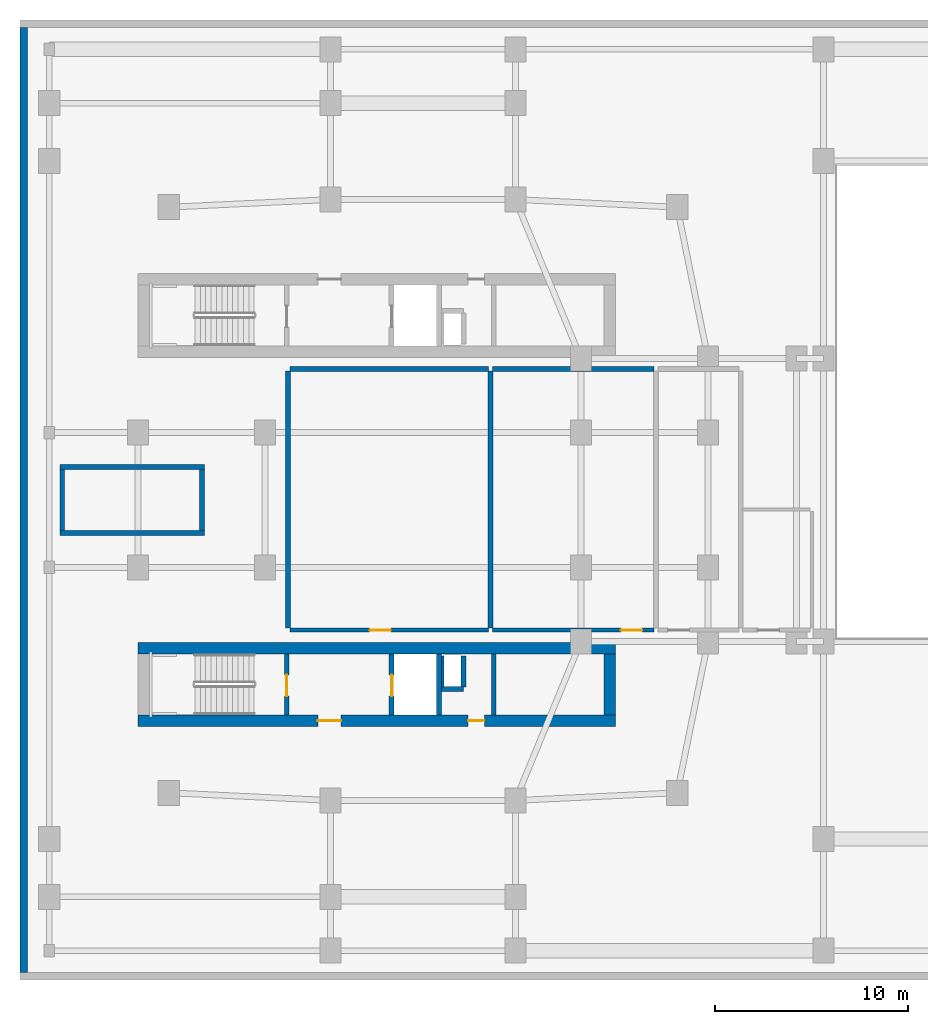
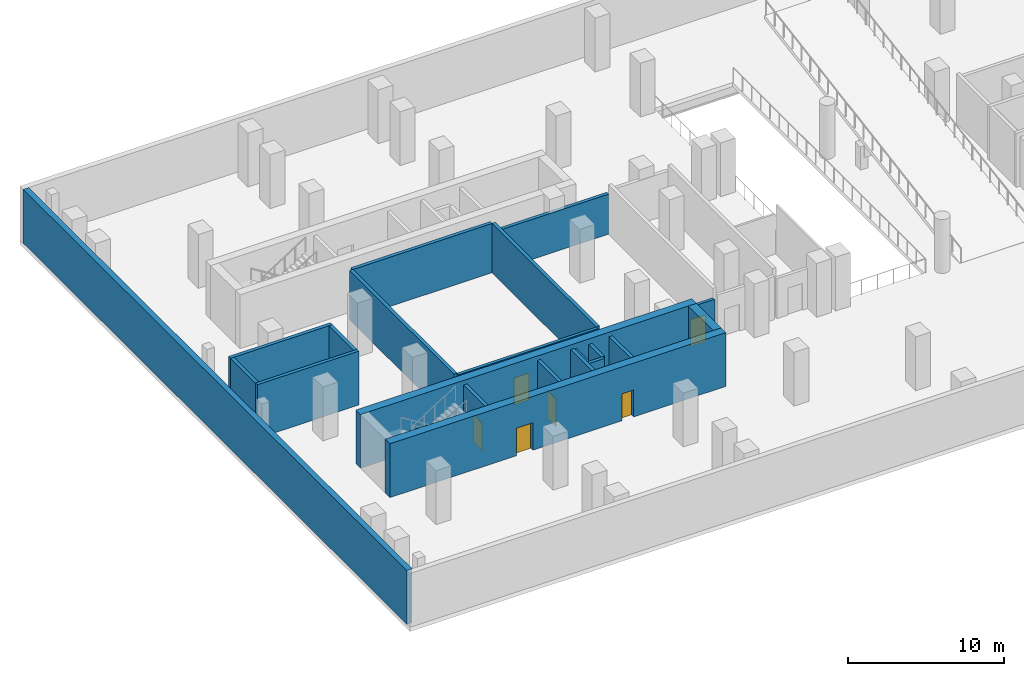
# One storey, part 4 of 13: 21 walls, 6 doors, 6 openings.
"""IFC4 building model written with IfcOpenShell, lengths in metres."""

from ifc_helpers import new_model, si_unit, derived_unit, direction, frame, frame_2d, origin, place, context, subcontext, project, spatial, rectangle, extrude, material, layer, layer_set, type_object, element, fill, save


model = new_model("IFC4")

# Units and contexts
model_context = context("Model", 3, precision=1e-05, world=origin(), true_north=direction((0.0, 1.0)))
body_context = subcontext(model_context, "Body", "Model", "MODEL_VIEW")
ifc_project = project(units=[si_unit("LENGTHUNIT", "METRE"), si_unit("AREAUNIT", "SQUARE_METRE"), si_unit("VOLUMEUNIT", "CUBIC_METRE"), si_unit("PLANEANGLEUNIT", "RADIAN"), si_unit("MASSUNIT", "GRAM", prefix="KILO"), derived_unit("THERMALTRANSMITTANCEUNIT", [(si_unit("POWERUNIT", "WATT"), 1), (si_unit("LENGTHUNIT", "METRE"), -2), (si_unit("THERMODYNAMICTEMPERATUREUNIT", "KELVIN"), -1)])], contexts=[model_context])

# Site, building, storey
site_placement = place(None, origin())
site = spatial("IfcSite", under=ifc_project, at=site_placement, CompositionType="ELEMENT")
building_placement = place(site_placement, origin())
building = spatial("IfcBuilding", under=site, at=building_placement, Name="Kivonza Crest Hotel", CompositionType="ELEMENT")
storey_placement = place(building_placement, frame((0.0, 0.0, -4.199951171875)))
storey = spatial("IfcBuildingStorey", under=building, at=storey_placement, Name="B1", CompositionType="ELEMENT", Elevation=-4.199951171875)

# Wall, opening, door
ifc_material_1 = material(Name="Autoclaved aerated concrete blockwork", Category="masonry")
ifc_layer_1 = layer(ifc_material_1, 0.219970703125)
ifc_layer_set_1 = layer_set([ifc_layer_1], Name="Autoclaved aerated concrete blockwork")
wall_type_1 = type_object("IfcWallType", Name="WL-ACOU-220", PredefinedType="SOLIDWALL", material=ifc_layer_set_1)
wall_1_placement = place(storey_placement, frame((14.10009765625, 18.25, 0.0), z_axis=(0.0, 0.0, 1.0), x_axis=(1.0, 0.0, 0.0)))
wall_1 = element("IfcWall", 1, at=wall_1_placement, inside=storey, type_object=wall_type_1, Name="B1 interior partition WA-B1-CHIL-S", PredefinedType="SOLIDWALL", context=body_context, shape_type="SweptSolid", body=[
    extrude(rectangle(XDim=10.2998046875, YDim=0.219970703125, at=frame_2d((5.14990234375, 0.0))), origin(), (0.0, 0.0, 1.0), 3.849853515625),
])
opening_1_placement = place(wall_1_placement, frame((4.1298828125, 0.0, 0.0)))
opening_1 = element("IfcOpeningElement", 2, at=opening_1_placement, cuts=wall_1, Name="Opening DF-60M", PredefinedType="OPENING", context=body_context, shape_type="SweptSolid", body=[
    extrude(rectangle(XDim=1.10009765625, YDim=2.10009765625, at=frame_2d((0.550048828125, 1.050048828125))), frame((0.0, 0.1201171875, 0.0), z_axis=(0.0, -1.0, 0.0), x_axis=(1.0, 0.0, 0.0)), (0.0, 0.0, 1.0), 0.239990234375),
])
ifc_material_2 = material(Name="Hardwood timber oak", Category="wood")
door_type_1 = type_object("IfcDoorType", Name="DR-FD60-1100", OperationType="NOTDEFINED", PredefinedType="DOOR", material=ifc_material_2)
door_1_placement = place(opening_1_placement, origin())
door_1 = element("IfcDoor", 3, at=door_1_placement, inside=storey, type_object=door_type_1, Name="B1 Central Chiller Plant Room door", OperationType="SINGLE_SWING_LEFT", OverallHeight=2.10009765625, OverallWidth=1.10009765625, PredefinedType="DOOR", context=body_context, shape_type="SweptSolid", body=[
    extrude(rectangle(XDim=1.10009765625, YDim=2.10009765625, at=frame_2d((0.550048828125, 1.050048828125))), frame((0.0, 0.02490234375, 0.0), z_axis=(0.0, -1.0, 0.0), x_axis=(1.0, 0.0, 0.0)), (0.0, 0.0, 1.0), 0.050048828125),
])
fill(opening_1, door_1)

wall_2_placement = place(storey_placement, frame((24.60009765625, 18.25, 0.0), z_axis=(0.0, 0.0, 1.0), x_axis=(1.0, 0.0, 0.0)))
wall_2 = element("IfcWall", 4, at=wall_2_placement, inside=storey, type_object=wall_type_1, Name="B1 interior partition WA-B1-GEN-S", PredefinedType="SOLIDWALL", context=body_context, shape_type="SweptSolid", body=[
    extrude(rectangle(XDim=8.39990234375, YDim=0.219970703125, at=frame_2d((4.199951171875, 0.0))), origin(), (0.0, 0.0, 1.0), 3.125),
])
opening_2_placement = place(wall_2_placement, frame((6.675048828125, 0.0, 0.0)))
opening_2 = element("IfcOpeningElement", 5, at=opening_2_placement, cuts=wall_2, Name="Opening DF-60M", PredefinedType="OPENING", context=body_context, shape_type="SweptSolid", body=[
    extrude(rectangle(XDim=1.10009765625, YDim=2.10009765625, at=frame_2d((0.550048828125, 1.050048828125))), frame((0.0, 0.1201171875, 0.0), z_axis=(0.0, -1.0, 0.0), x_axis=(1.0, 0.0, 0.0)), (0.0, 0.0, 1.0), 0.239990234375),
])
door_2_placement = place(opening_2_placement, origin())
door_2 = element("IfcDoor", 6, at=door_2_placement, inside=storey, type_object=door_type_1, Name="B1 Standby Generator Plant Room door", OperationType="SINGLE_SWING_RIGHT", OverallHeight=2.10009765625, OverallWidth=1.10009765625, PredefinedType="DOOR", context=body_context, shape_type="SweptSolid", body=[
    extrude(rectangle(XDim=1.10009765625, YDim=2.10009765625, at=frame_2d((0.550048828125, 1.050048828125))), frame((0.0, 0.02490234375, 0.0), z_axis=(0.0, -1.0, 0.0), x_axis=(1.0, 0.0, 0.0)), (0.0, 0.0, 1.0), 0.050048828125),
])
fill(opening_2, door_2)

# Wall, openings, doors
ifc_material_3 = material(Name="Concrete C60/75", Category="concrete")
ifc_layer_2 = layer(ifc_material_3, 0.60009765625)
ifc_layer_set_2 = layer_set([ifc_layer_2], Name="Concrete C60/75")
wall_type_2 = type_object("IfcWallType", Name="WL-CORE-600", PredefinedType="SHEAR", material=ifc_layer_set_2)
wall_3_placement = place(storey_placement, frame((6.199951171875, 13.5400390625, 0.0), z_axis=(0.0, 0.0, 1.0), x_axis=(1.0, 0.0, 0.0)))
wall_3 = element("IfcWall", 7, at=wall_3_placement, inside=storey, type_object=wall_type_2, Name="Core wall T1-S South B1", PredefinedType="SHEAR", context=body_context, shape_type="SweptSolid", body=[
    extrude(rectangle(XDim=24.800048828125, YDim=0.60009765625, at=frame_2d((12.39990234375, 0.0))), origin(), (0.0, 0.0, 1.0), 4.199951171875),
])
opening_3_placement = place(wall_3_placement, frame((9.35009765625, 0.0, 0.0)))
opening_3 = element("IfcOpeningElement", 8, at=opening_3_placement, cuts=wall_3, Name="Opening DF-60", PredefinedType="OPENING", context=body_context, shape_type="SweptSolid", body=[
    extrude(rectangle(XDim=1.199951171875, YDim=2.14990234375, at=frame_2d((0.60009765625, 1.074951171875))), frame((0.0, 0.31005859375, 0.0), z_axis=(0.0, -1.0, 0.0), x_axis=(1.0, 0.0, 0.0)), (0.0, 0.0, 1.0), 0.6201171875),
])
opening_4_placement = place(wall_3_placement, frame((17.139892578125, 0.0, 0.0)))
opening_4 = element("IfcOpeningElement", 9, at=opening_4_placement, cuts=wall_3, Name="Opening DF-60R", PredefinedType="OPENING", context=body_context, shape_type="SweptSolid", body=[
    extrude(rectangle(XDim=0.85009765625, YDim=2.10009765625, at=frame_2d((0.425048828125, 1.050048828125))), frame((0.0, 0.31005859375, 0.0), z_axis=(0.0, -1.0, 0.0), x_axis=(1.0, 0.0, 0.0)), (0.0, 0.0, 1.0), 0.6201171875),
])
door_type_2 = type_object("IfcDoorType", Name="DR-FD60-1200", OperationType="NOTDEFINED", PredefinedType="DOOR", material=ifc_material_2)
door_3_placement = place(opening_3_placement, frame((1.199951171875, 0.0, 0.0), z_axis=(0.0, 0.0, 1.0), x_axis=(-1.0, 0.0, 0.0)))
door_3 = element("IfcDoor", 10, at=door_3_placement, inside=storey, type_object=door_type_2, Name="B1 T1-S firefighting lobby fire door", OperationType="SINGLE_SWING_LEFT", OverallHeight=2.14990234375, OverallWidth=1.199951171875, PredefinedType="DOOR", context=body_context, shape_type="SweptSolid", body=[
    extrude(rectangle(XDim=1.199951171875, YDim=2.14990234375, at=frame_2d((0.60009765625, 1.074951171875))), frame((0.0, 0.02490234375, 0.0), z_axis=(0.0, -1.0, 0.0), x_axis=(1.0, 0.0, 0.0)), (0.0, 0.0, 1.0), 0.050048828125),
])
fill(opening_3, door_3)
door_type_3 = type_object("IfcDoorType", Name="DR-FD60-850", OperationType="NOTDEFINED", PredefinedType="DOOR", material=ifc_material_2)
door_4_placement = place(opening_4_placement, frame((0.85009765625, 0.0, 0.0), z_axis=(0.0, 0.0, 1.0), x_axis=(-1.0, 0.0, 0.0)))
door_4 = element("IfcDoor", 11, at=door_4_placement, inside=storey, type_object=door_type_3, Name="B1 T1-S core room door", OperationType="SINGLE_SWING_RIGHT", OverallHeight=2.10009765625, OverallWidth=0.85009765625, PredefinedType="DOOR", context=body_context, shape_type="SweptSolid", body=[
    extrude(rectangle(XDim=0.85009765625, YDim=2.10009765625, at=frame_2d((0.425048828125, 1.050048828125))), frame((0.0, 0.02490234375, 0.0), z_axis=(0.0, -1.0, 0.0), x_axis=(1.0, 0.0, 0.0)), (0.0, 0.0, 1.0), 0.050048828125),
])
fill(opening_4, door_4)

# Walls
wall_4_placement = place(storey_placement, frame((6.199951171875, 17.300048828125, 0.0), z_axis=(0.0, 0.0, 1.0), x_axis=(1.0, 0.0, 0.0)))
element("IfcWall", 12, at=wall_4_placement, inside=storey, type_object=wall_type_2, Name="Core wall T1-S North B1", PredefinedType="SHEAR", context=body_context, shape_type="SweptSolid", body=[
    extrude(rectangle(XDim=24.800048828125, YDim=0.60009765625, at=frame_2d((12.39990234375, 0.0))), origin(), (0.0, 0.0, 1.0), 4.199951171875),
])
wall_5_placement = place(storey_placement, frame((30.699951171875, 13.840087890625, 0.0), z_axis=(0.0, 0.0, 1.0), x_axis=(0.0, 1.0, 0.0)))
element("IfcWall", 13, at=wall_5_placement, inside=storey, type_object=wall_type_2, Name="Core wall T1-S East B1", PredefinedType="SHEAR", context=body_context, shape_type="SweptSolid", body=[
    extrude(rectangle(XDim=3.159912109375, YDim=0.60009765625, at=frame_2d((1.580078125, 0.0))), origin(), (0.0, 0.0, 1.0), 4.199951171875),
])
ifc_material_4 = material(Name="Concrete blockwork fire-compartment wall", Category="masonry")
ifc_layer_3 = layer(ifc_material_4, 0.25)
ifc_layer_set_3 = layer_set([ifc_layer_3], Name="Concrete blockwork fire-compartment wall")
wall_type_3 = type_object("IfcWallType", Name="WL-FIRE-250", PredefinedType="SOLIDWALL", material=ifc_layer_set_3)
wall_6_placement = place(storey_placement, frame((23.10009765625, 15.280029296875, 0.0), z_axis=(0.0, 0.0, 1.0), x_axis=(0.0, 1.0, 0.0)))
element("IfcWall", 14, at=wall_6_placement, inside=storey, type_object=wall_type_3, Name="B1 interior partition WA-B1-T1-S-MEPR-E", PredefinedType="SOLIDWALL", context=body_context, shape_type="SweptSolid", body=[
    extrude(rectangle(XDim=1.619873046875, YDim=0.25, at=frame_2d((0.81005859375, 0.0))), origin(), (0.0, 0.0, 1.0), 3.849853515625),
])
wall_7_placement = place(storey_placement, frame((21.949951171875, 15.179931640625, 0.0), z_axis=(0.0, 0.0, 1.0), x_axis=(1.0, 0.0, 0.0)))
element("IfcWall", 15, at=wall_7_placement, inside=storey, type_object=wall_type_3, Name="B1 interior partition WA-B1-T1-S-MEPR-H", PredefinedType="SOLIDWALL", context=body_context, shape_type="SweptSolid", body=[
    extrude(rectangle(XDim=1.150146484375, YDim=0.25, at=frame_2d((0.5751953125, 0.0))), origin(), (0.0, 0.0, 1.0), 3.849853515625),
])
for number, where, z_axis, x_axis, name in (
    (16, (14.0, 18.35009765625, 0.0), (0.0, 0.0, 1.0), (0.0, 1.0, 0.0), "B1 interior partition WP-B1-CHIL-BW"),
    (17, (24.5, 18.35009765625, 0.0), (0.0, 0.0, 1.0), (0.0, 1.0, 0.0), "B1 interior partition WP-B1-CHIL-BE"),
):
    element("IfcWall", number, at=place(storey_placement, frame(where, z_axis=z_axis, x_axis=x_axis)), inside=storey, type_object=wall_type_3, Name=name, PredefinedType="SOLIDWALL", context=body_context, shape_type="SweptSolid", body=[
        extrude(rectangle(XDim=13.349853515625, YDim=0.25, at=frame_2d((6.6748046875, 0.0))), origin(), (0.0, 0.0, 1.0), 3.849853515625),
    ])
wall_8_placement = place(storey_placement, frame((14.10009765625, 31.800048828125, 0.0), z_axis=(0.0, 0.0, 1.0), x_axis=(1.0, 0.0, 0.0)))
element("IfcWall", 18, at=wall_8_placement, inside=storey, type_object=wall_type_3, Name="B1 interior partition WP-B1-CHIL-BN", PredefinedType="SOLIDWALL", context=body_context, shape_type="SweptSolid", body=[
    extrude(rectangle(XDim=10.2998046875, YDim=0.25, at=frame_2d((5.14990234375, 0.0))), origin(), (0.0, 0.0, 1.0), 3.849853515625),
])
wall_9_placement = place(storey_placement, frame((24.60009765625, 31.800048828125, 0.0), z_axis=(0.0, 0.0, 1.0), x_axis=(1.0, 0.0, 0.0)))
element("IfcWall", 19, at=wall_9_placement, inside=storey, type_object=wall_type_3, Name="B1 interior partition WP-B1-GEN-BN", PredefinedType="SOLIDWALL", context=body_context, shape_type="SweptSolid", body=[
    extrude(rectangle(XDim=8.39990234375, YDim=0.25, at=frame_2d((4.199951171875, 0.0))), origin(), (0.0, 0.0, 1.0), 3.125),
])
ifc_material_5 = material(Name="Twin-stud acoustic gypsum board partition", Category="gypsum")
ifc_layer_4 = layer(ifc_material_5, 0.14990234375)
ifc_layer_set_4 = layer_set([ifc_layer_4], Name="Twin-stud acoustic gypsum board partition")
wall_type_4 = type_object("IfcWallType", Name="WL-PART-150", PredefinedType="PARTITIONING", material=ifc_layer_set_4)
wall_10_placement = place(storey_placement, frame((22.030029296875, 15.280029296875, 0.0), z_axis=(0.0, 0.0, 1.0), x_axis=(0.0, 1.0, 0.0)))
element("IfcWall", 20, at=wall_10_placement, inside=storey, type_object=wall_type_4, Name="B1 interior partition WA-B1-T1-S-MEPR-W", PredefinedType="PARTITIONING", context=body_context, shape_type="SweptSolid", body=[
    extrude(rectangle(XDim=1.619873046875, YDim=0.14990234375, at=frame_2d((0.81005859375, 0.0))), origin(), (0.0, 0.0, 1.0), 3.849853515625),
])
ifc_material_6 = material(Name="Concrete C40/50", Category="concrete")
ifc_layer_5 = layer(ifc_material_6, 0.39990234375)
ifc_layer_set_5 = layer_set([ifc_layer_5], Name="Concrete C40/50")
wall_type_5 = type_object("IfcWallType", Name="WL-RET-400", PredefinedType="USERDEFINED", material=ifc_layer_set_5)
wall_11_placement = place(storey_placement, frame((0.280029296875, 49.52001953125, 0.0), z_axis=(0.0, 0.0, 1.0), x_axis=(0.0, -1.0, 0.0)))
element("IfcWall", 21, at=wall_11_placement, inside=storey, type_object=wall_type_5, Name="B1 West basement retaining wall", ObjectType="RETAININGWALL", PredefinedType="USERDEFINED", context=body_context, shape_type="SweptSolid", body=[
    extrude(rectangle(XDim=49.0400390625, YDim=0.39990234375, at=frame_2d((24.52001953125, 0.0))), origin(), (0.0, 0.0, 1.0), 4.199951171875),
])

# Wall, opening, door
ifc_material_7 = material(Name="Concrete C50/60", Category="concrete")
ifc_layer_6 = layer(ifc_material_7, 0.25)
ifc_layer_set_6 = layer_set([ifc_layer_6], Name="Concrete C50/60")
wall_type_6 = type_object("IfcWallType", Name="WL-SHAFT-250", PredefinedType="STANDARD", material=ifc_layer_set_6)
wall_12_placement = place(storey_placement, frame((13.925048828125, 13.840087890625, 0.0), z_axis=(0.0, 0.0, 1.0), x_axis=(0.0, 1.0, 0.0)))
wall_12 = element("IfcWall", 22, at=wall_12_placement, inside=storey, type_object=wall_type_6, Name="Core shaft wall T1-S STAIR B1", PredefinedType="STANDARD", context=body_context, shape_type="SweptSolid", body=[
    extrude(rectangle(XDim=3.159912109375, YDim=0.25, at=frame_2d((1.580078125, 0.0))), origin(), (0.0, 0.0, 1.0), 3.849853515625),
])
opening_5_placement = place(wall_12_placement, frame((0.97998046875, 0.0, 0.0)))
opening_5 = element("IfcOpeningElement", 23, at=opening_5_placement, cuts=wall_12, Name="Opening DF-120", PredefinedType="OPENING", context=body_context, shape_type="SweptSolid", body=[
    extrude(rectangle(XDim=1.10009765625, YDim=2.14990234375, at=frame_2d((0.550048828125, 1.074951171875))), frame((0.0, 0.135009765625, 0.0), z_axis=(0.0, -1.0, 0.0), x_axis=(1.0, 0.0, 0.0)), (0.0, 0.0, 1.0), 0.27001953125),
])
ifc_material_8 = material(Name="Galvanised steel", Category="steel")
door_type_4 = type_object("IfcDoorType", Name="DR-FD120-1100", OperationType="NOTDEFINED", PredefinedType="DOOR", material=ifc_material_8)
door_5_placement = place(opening_5_placement, frame((1.10009765625, 0.0, 0.0), z_axis=(0.0, 0.0, 1.0), x_axis=(-1.0, 0.0, 0.0)))
door_5 = element("IfcDoor", 24, at=door_5_placement, inside=storey, type_object=door_type_4, Name="B1 T1-S stair fire door", OperationType="SINGLE_SWING_RIGHT", OverallHeight=2.14990234375, OverallWidth=1.10009765625, PredefinedType="DOOR", context=body_context, shape_type="SweptSolid", body=[
    extrude(rectangle(XDim=1.10009765625, YDim=2.14990234375, at=frame_2d((0.550048828125, 1.074951171875))), frame((0.0, 0.02490234375, 0.0), z_axis=(0.0, -1.0, 0.0), x_axis=(1.0, 0.0, 0.0)), (0.0, 0.0, 1.0), 0.050048828125),
])
fill(opening_5, door_5)

wall_13_placement = place(storey_placement, frame((19.375, 13.840087890625, 0.0), z_axis=(0.0, 0.0, 1.0), x_axis=(0.0, 1.0, 0.0)))
wall_13 = element("IfcWall", 25, at=wall_13_placement, inside=storey, type_object=wall_type_6, Name="Core shaft wall T1-S FFL-W B1", PredefinedType="STANDARD", context=body_context, shape_type="SweptSolid", body=[
    extrude(rectangle(XDim=3.159912109375, YDim=0.25, at=frame_2d((1.580078125, 0.0))), origin(), (0.0, 0.0, 1.0), 3.849853515625),
])
opening_6_placement = place(wall_13_placement, frame((0.97998046875, 0.0, 0.0)))
opening_6 = element("IfcOpeningElement", 26, at=opening_6_placement, cuts=wall_13, Name="Opening LD-120", PredefinedType="OPENING", context=body_context, shape_type="SweptSolid", body=[
    extrude(rectangle(XDim=1.10009765625, YDim=2.14990234375, at=frame_2d((0.550048828125, 1.074951171875))), frame((0.0, 0.135009765625, 0.0), z_axis=(0.0, -1.0, 0.0), x_axis=(1.0, 0.0, 0.0)), (0.0, 0.0, 1.0), 0.27001953125),
])
ifc_material_9 = material(Name="Stainless steel", Category="steel")
door_type_5 = type_object("IfcDoorType", Name="DR-LD120-1100", OperationType="NOTDEFINED", PredefinedType="DOOR", material=ifc_material_9)
door_6_placement = place(opening_6_placement, origin())
door_6 = element("IfcDoor", 27, at=door_6_placement, inside=storey, type_object=door_type_5, Name="B1 FFL-T1-S firefighting lift sliding landing door", OperationType="DOUBLE_DOOR_SLIDING", OverallHeight=2.14990234375, OverallWidth=1.10009765625, PredefinedType="DOOR", context=body_context, shape_type="SweptSolid", body=[
    extrude(rectangle(XDim=1.10009765625, YDim=2.14990234375, at=frame_2d((0.550048828125, 1.074951171875))), frame((0.0, 0.02490234375, 0.0), z_axis=(0.0, -1.0, 0.0), x_axis=(1.0, 0.0, 0.0)), (0.0, 0.0, 1.0), 0.050048828125),
])
fill(opening_6, door_6)

# Walls
for number, where, z_axis, x_axis, name in (
    (28, (21.824951171875, 13.840087890625, 0.0), (0.0, 0.0, 1.0), (0.0, 1.0, 0.0), "Core shaft wall T1-S FFL-E B1"),
    (29, (24.675048828125, 13.840087890625, 0.0), (0.0, 0.0, 1.0), (0.0, 1.0, 0.0), "Core shaft wall T1-S BANK-W B1"),
):
    element("IfcWall", number, at=place(storey_placement, frame(where, z_axis=z_axis, x_axis=x_axis)), inside=storey, type_object=wall_type_6, Name=name, PredefinedType="STANDARD", context=body_context, shape_type="SweptSolid", body=[
        extrude(rectangle(XDim=3.159912109375, YDim=0.25, at=frame_2d((1.580078125, 0.0))), origin(), (0.0, 0.0, 1.0), 3.849853515625),
    ])
for number, where, z_axis, x_axis, name in (
    (30, (2.14990234375, 23.294921875, 0.0), (0.0, 0.0, 1.0), (1.0, 0.0, 0.0), "Podium stair enclosure wall ST-POD-W S B1"),
    (31, (2.14990234375, 26.705078125, 0.0), (0.0, 0.0, 1.0), (1.0, 0.0, 0.0), "Podium stair enclosure wall ST-POD-W N B1"),
):
    element("IfcWall", number, at=place(storey_placement, frame(where, z_axis=z_axis, x_axis=x_axis)), inside=storey, type_object=wall_type_6, Name=name, PredefinedType="STANDARD", context=body_context, shape_type="SweptSolid", body=[
        extrude(rectangle(XDim=7.5, YDim=0.25, at=frame_2d((3.75, 0.0))), origin(), (0.0, 0.0, 1.0), 4.199951171875),
    ])
for number, where, z_axis, x_axis, name in (
    (32, (2.27490234375, 23.419921875, 0.0), (0.0, 0.0, 1.0), (0.0, 1.0, 0.0), "Podium stair enclosure wall ST-POD-W W B1"),
    (33, (9.52490234375, 23.419921875, 0.0), (0.0, 0.0, 1.0), (0.0, 1.0, 0.0), "Podium stair enclosure wall ST-POD-W E B1"),
):
    element("IfcWall", number, at=place(storey_placement, frame(where, z_axis=z_axis, x_axis=x_axis)), inside=storey, type_object=wall_type_6, Name=name, PredefinedType="STANDARD", context=body_context, shape_type="SweptSolid", body=[
        extrude(rectangle(XDim=3.16015625, YDim=0.25, at=frame_2d((1.580078125, 0.0))), origin(), (0.0, 0.0, 1.0), 4.199951171875),
    ])

save(model, "model.ifc")
